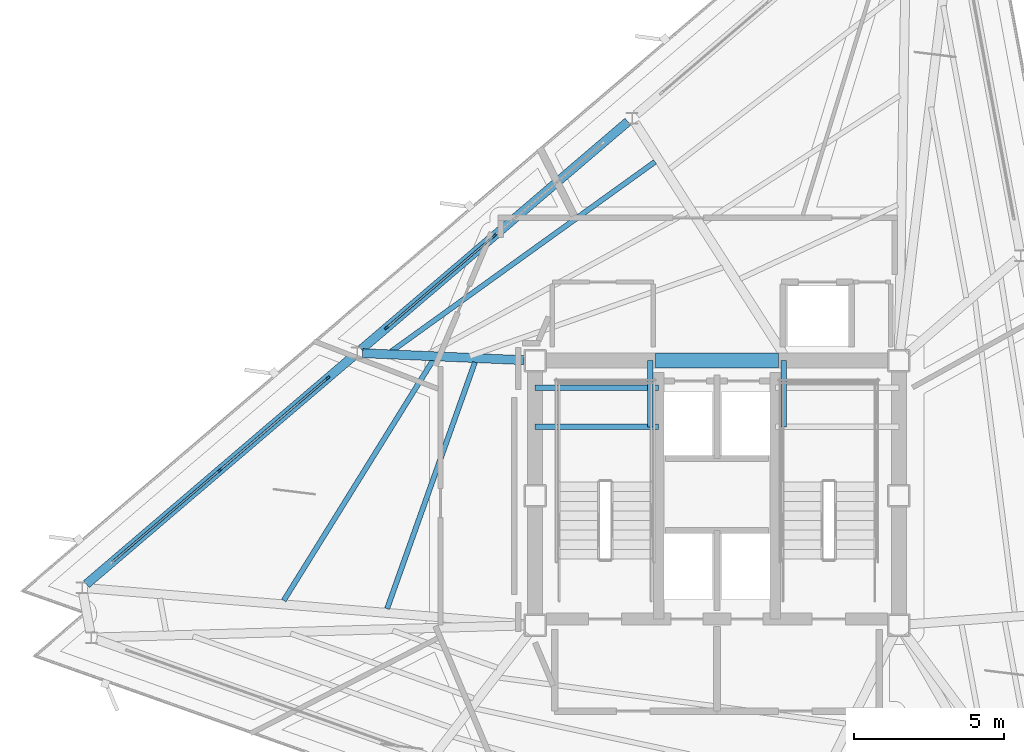
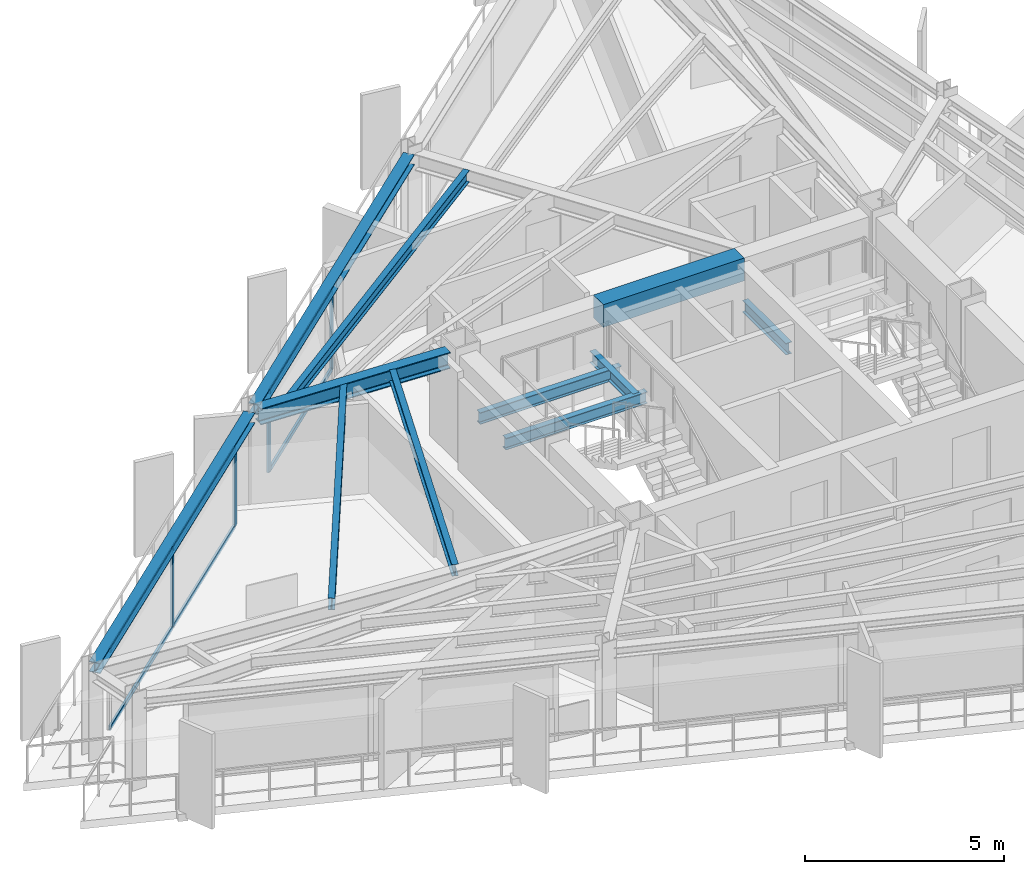
# One storey, part 4 of 14: 11 beams, 10 members, 2 elements without a shape of their own.
"""IFC4 building model written with IfcOpenShell, lengths in metres."""

from ifc_helpers import new_model, si_unit, direction, frame, origin, origin_2d, place, context, subcontext, project, spatial, rectangle, i_section, extrude, material, layer, layer_set, material_profile, profile_set, type_object, element, aggregate, save


model = new_model("IFC4")

# Units and contexts
model_context = context("Model", 3, precision=1e-05, world=origin(), true_north=direction((0.0, 1.0)))
body_context = subcontext(model_context, "Body", "Model", "MODEL_VIEW")
ifc_project = project(units=[si_unit("LENGTHUNIT", "METRE"), si_unit("AREAUNIT", "SQUARE_METRE"), si_unit("VOLUMEUNIT", "CUBIC_METRE"), si_unit("PLANEANGLEUNIT", "RADIAN"), si_unit("MASSUNIT", "GRAM", prefix="KILO")], contexts=[model_context])

# Site, building, storey
site_placement = place(None, origin())
site = spatial("IfcSite", under=ifc_project, at=site_placement, CompositionType="ELEMENT")
building_placement = place(site_placement, origin())
building = spatial("IfcBuilding", under=site, at=building_placement, Name="Rocaltana Carrier Exchange", CompositionType="ELEMENT")
storey_placement = place(building_placement, frame((0.0, 0.0, 178.39990234375)))
storey = spatial("IfcBuildingStorey", under=building, at=storey_placement, Name="L56", CompositionType="ELEMENT", Elevation=178.39990234375)

# Curtain wall, members
ifc_material_1 = material(Name="Aluminium 6063-T6", Category="aluminium")
ifc_layer = layer(ifc_material_1, 0.135009765625)
ifc_layer_set = layer_set([ifc_layer], Name="Aluminium 6063-T6")
curtain_wall_type = type_object("IfcCurtainWallType", Name="Upper-Mid Acoustic Curtain Wall CW-04", PredefinedType="NOTDEFINED", material=ifc_layer_set)
curtain_wall_1_placement = place(storey_placement, origin())
curtain_wall_1 = element("IfcCurtainWall", 1, at=curtain_wall_1_placement, inside=storey, type_object=curtain_wall_type, Name="L56 CW-04 Run CW-L56-F2S2", PredefinedType="NOTDEFINED")
ifc_material_2 = material(Name="Aluminium 6063-T6", Category="aluminium")
ifc_material_profile_1 = material_profile(ifc_material_2, rectangle(XDim=0.06494140625, YDim=0.135009765625, at=origin_2d()), Name="AL-65X135")
ifc_profile_set_1 = profile_set([ifc_material_profile_1], Name="Aluminium 6063-T6")
member_type_1 = type_object("IfcMemberType", Name="CW-04 Mullion AL-65X135", PredefinedType="MULLION", material=ifc_profile_set_1)
member_1_placement = place(storey_placement, frame((-7.39990234375, 8.6640625, 0.0), z_axis=(0.0, 0.0, 1.0), x_axis=(0.649454010067, -0.760400873756, 0.0)))
member_1 = element("IfcMember", 2, at=member_1_placement, type_object=member_type_1, Name="CW-04 mullion 2", PredefinedType="MULLION", context=body_context, shape_type="SweptSolid", body=[
    extrude(rectangle(XDim=0.06494140625, YDim=0.135009765625, at=origin_2d()), origin(), (0.0, 0.0, 1.0), 2.447998046875),
])
member_2_placement = place(storey_placement, frame((-10.999755859375, 5.58935546875, 0.0), z_axis=(0.0, 0.0, 1.0), x_axis=(0.649454010067, -0.760400873756, 0.0)))
member_2 = element("IfcMember", 3, at=member_2_placement, type_object=member_type_1, Name="CW-04 mullion 3", PredefinedType="MULLION", context=body_context, shape_type="SweptSolid", body=[
    extrude(rectangle(XDim=0.06494140625, YDim=0.135009765625, at=origin_2d()), origin(), (0.0, 0.0, 1.0), 2.447998046875),
])

curtain_wall_2_placement = place(storey_placement, origin())
curtain_wall_2 = element("IfcCurtainWall", 4, at=curtain_wall_2_placement, inside=storey, type_object=curtain_wall_type, Name="L56 CW-04 Run CW-L56-F2S3", PredefinedType="NOTDEFINED")
member_3_placement = place(storey_placement, frame((-12.9501953125, 3.923583984375, 0.0), z_axis=(0.0, 0.0, 1.0), x_axis=(0.649447944918, -0.760406053922, 0.0)))
member_3 = element("IfcMember", 5, at=member_3_placement, type_object=member_type_1, Name="CW-04 mullion 1", PredefinedType="MULLION", context=body_context, shape_type="SweptSolid", body=[
    extrude(rectangle(XDim=0.06494140625, YDim=0.135009765625, at=origin_2d()), origin(), (0.0, 0.0, 1.0), 2.447998046875),
])
member_4_placement = place(storey_placement, frame((-16.550048828125, 0.84912109375, 0.0), z_axis=(0.0, 0.0, 1.0), x_axis=(0.649447944918, -0.760406053922, 0.0)))
member_4 = element("IfcMember", 6, at=member_4_placement, type_object=member_type_1, Name="CW-04 mullion 2", PredefinedType="MULLION", context=body_context, shape_type="SweptSolid", body=[
    extrude(rectangle(XDim=0.06494140625, YDim=0.135009765625, at=origin_2d()), origin(), (0.0, 0.0, 1.0), 2.447998046875),
])

# Member
ifc_material_3 = material(Name="Aluminium 6063-T6", Category="aluminium")
ifc_material_profile_2 = material_profile(ifc_material_3, rectangle(XDim=0.06494140625, YDim=0.135009765625, at=origin_2d()), Name="AL-65X135")
ifc_profile_set_2 = profile_set([ifc_material_profile_2], Name="Aluminium 6063-T6")
member_type_2 = type_object("IfcMemberType", Name="CW-04 Transom AL-65X135", PredefinedType="USERDEFINED", material=ifc_profile_set_2)
member_5_placement = place(storey_placement, frame((-7.424560546875, 8.642822265625, 0.03271484375), z_axis=(-0.760407032825, -0.649446798768, 0.0), x_axis=(0.649446798768, -0.760407032825, 0.0)))
member_5 = element("IfcMember", 7, at=member_5_placement, type_object=member_type_2, Name="CW-04 transom 2.1", ObjectType="TRANSOM", PredefinedType="USERDEFINED", context=body_context, shape_type="SweptSolid", body=[
    extrude(rectangle(XDim=0.06494140625, YDim=0.135009765625, at=origin_2d()), origin(), (0.0, 0.0, 1.0), 4.6689453125),
])

member_6_placement = place(storey_placement, frame((-7.424560546875, 8.642822265625, 2.41552734375), z_axis=(-0.760407032825, -0.649446798768, 0.0), x_axis=(0.649446798768, -0.760407032825, 0.0)))
member_6 = element("IfcMember", 8, at=member_6_placement, type_object=member_type_2, Name="CW-04 transom 2.2", ObjectType="TRANSOM", PredefinedType="USERDEFINED", context=body_context, shape_type="SweptSolid", body=[
    extrude(rectangle(XDim=0.06494140625, YDim=0.135009765625, at=origin_2d()), origin(), (0.0, 0.0, 1.0), 4.6689453125),
])

aggregate(curtain_wall_1, [member_1, member_2, member_5, member_6])

member_7_placement = place(storey_placement, frame((-12.974853515625, 3.902587890625, 0.03271484375), z_axis=(-0.760403264899, -0.649451210432, 0.0), x_axis=(0.649451210432, -0.760403264899, 0.0)))
member_7 = element("IfcMember", 9, at=member_7_placement, type_object=member_type_2, Name="CW-04 transom 1.1", ObjectType="TRANSOM", PredefinedType="USERDEFINED", context=body_context, shape_type="SweptSolid", body=[
    extrude(rectangle(XDim=0.06494140625, YDim=0.135009765625, at=origin_2d()), origin(), (0.0, 0.0, 1.0), 4.669189453125),
])

member_8_placement = place(storey_placement, frame((-12.974853515625, 3.902587890625, 2.41552734375), z_axis=(-0.760403264899, -0.649451210432, 0.0), x_axis=(0.649451210432, -0.760403264899, 0.0)))
member_8 = element("IfcMember", 10, at=member_8_placement, type_object=member_type_2, Name="CW-04 transom 1.2", ObjectType="TRANSOM", PredefinedType="USERDEFINED", context=body_context, shape_type="SweptSolid", body=[
    extrude(rectangle(XDim=0.06494140625, YDim=0.135009765625, at=origin_2d()), origin(), (0.0, 0.0, 1.0), 4.669189453125),
])

member_9_placement = place(storey_placement, frame((-16.57470703125, 0.827880859375, 0.03271484375), z_axis=(-0.760403264899, -0.649451210432, 0.0), x_axis=(0.649451210432, -0.760403264899, 0.0)))
member_9 = element("IfcMember", 11, at=member_9_placement, type_object=member_type_2, Name="CW-04 transom 2.1", ObjectType="TRANSOM", PredefinedType="USERDEFINED", context=body_context, shape_type="SweptSolid", body=[
    extrude(rectangle(XDim=0.06494140625, YDim=0.135009765625, at=origin_2d()), origin(), (0.0, 0.0, 1.0), 4.669189453125),
])

member_10_placement = place(storey_placement, frame((-16.57470703125, 0.827880859375, 2.41552734375), z_axis=(-0.760403264899, -0.649451210432, 0.0), x_axis=(0.649451210432, -0.760403264899, 0.0)))
member_10 = element("IfcMember", 12, at=member_10_placement, type_object=member_type_2, Name="CW-04 transom 2.2", ObjectType="TRANSOM", PredefinedType="USERDEFINED", context=body_context, shape_type="SweptSolid", body=[
    extrude(rectangle(XDim=0.06494140625, YDim=0.135009765625, at=origin_2d()), origin(), (0.0, 0.0, 1.0), 4.669189453125),
])

aggregate(curtain_wall_2, [member_3, member_4, member_7, member_8, member_9, member_10])

# Beams
ifc_material_4 = material(Name="Concrete C60/75", Category="concrete")
ifc_material_profile_3 = material_profile(ifc_material_4, rectangle(XDim=0.5, YDim=0.699951171875, at=origin_2d()), Name="RC-BM-500X700")
ifc_profile_set_3 = profile_set([ifc_material_profile_3], Name="Concrete C60/75")
beam_type_1 = type_object("IfcBeamType", Name="Core Coupling Lintel 500x700", PredefinedType="LINTEL", material=ifc_profile_set_3)
beam_1_placement = place(storey_placement, frame((-2.050048828125, 4.5, 2.447998046875), z_axis=(1.0, 0.0, 0.0), x_axis=(0.0, 1.0, 0.0)))
element("IfcBeam", 13, at=beam_1_placement, inside=storey, type_object=beam_type_1, Name="L56 Core Coupling Lintel CL-N", PredefinedType="LINTEL", context=body_context, shape_type="SweptSolid", body=[
    extrude(rectangle(XDim=0.5, YDim=0.699951171875, at=origin_2d()), origin(), (0.0, 0.0, 1.0), 4.10009765625),
])
ifc_material_5 = material(Name="Steel S355", Category="steel")
ifc_material_profile_4 = material_profile(ifc_material_5, i_section(OverallWidth=0.172119140625, OverallDepth=0.35791015625, WebThickness=0.0078125, FlangeThickness=0.01318359375, FilletRadius=0.011962890625, at=origin_2d()), Name="W14X38")
ifc_profile_set_4 = profile_set([ifc_material_profile_4], Name="Steel S355")
beam_type_2 = type_object("IfcBeamType", Name="Floor Joist W14X38", PredefinedType="JOIST", material=ifc_profile_set_4)
for number, where, z_axis, x_axis, name in (
    (14, (-6.050048828125, 2.300048828125, 1.14111328125), (1.0, 0.0, 0.0), (0.0, 1.0, 0.0), "L56 ST-1 Landing Carrier 1"),
    (15, (-6.050048828125, 3.60009765625, 1.14111328125), (1.0, 0.0, 0.0), (0.0, 1.0, 0.0), "L56 ST-1 Landing Carrier 2"),
):
    element("IfcBeam", number, at=place(storey_placement, frame(where, z_axis=z_axis, x_axis=x_axis)), inside=storey, type_object=beam_type_2, Name=name, PredefinedType="JOIST", context=body_context, shape_type="SweptSolid", body=[
        extrude(i_section(OverallWidth=0.172119140625, OverallDepth=0.35791015625, WebThickness=0.0078125, FlangeThickness=0.01318359375, FilletRadius=0.011962890625, at=origin_2d()), origin(), (0.0, 0.0, 1.0), 4.110107421875),
    ])
for number, where, z_axis, x_axis, name in (
    (16, (-2.219970703125, 2.300048828125, 1.14111328125), (0.0, 1.0, 0.0), (-1.0, 0.0, 0.0), "L56 ST-1 Landing Cross Trimmer"),
    (17, (2.219970703125, 2.300048828125, 1.14111328125), (0.0, 1.0, 0.0), (-1.0, 0.0, 0.0), "L56 ST-2 Landing Cross Trimmer"),
):
    element("IfcBeam", number, at=place(storey_placement, frame(where, z_axis=z_axis, x_axis=x_axis)), inside=storey, type_object=beam_type_2, Name=name, PredefinedType="JOIST", context=body_context, shape_type="SweptSolid", body=[
        extrude(i_section(OverallWidth=0.172119140625, OverallDepth=0.35791015625, WebThickness=0.0078125, FlangeThickness=0.01318359375, FilletRadius=0.011962890625, at=origin_2d()), origin(), (0.0, 0.0, 1.0), 2.199951171875),
    ])
beam_2_placement = place(storey_placement, frame((-2.06201171875, 11.115478515625, 2.619140625), z_axis=(-0.811946552353, -0.583731784402, 0.0), x_axis=(0.583731784402, -0.811946552353, 0.0)))
element("IfcBeam", 18, at=beam_2_placement, inside=storey, type_object=beam_type_2, Name="FJ-L56-06-3", PredefinedType="JOIST", context=body_context, shape_type="SweptSolid", body=[
    extrude(i_section(OverallWidth=0.172119140625, OverallDepth=0.35791015625, WebThickness=0.0078125, FlangeThickness=0.01318359375, FilletRadius=0.011962890625, at=origin_2d()), origin(), (0.0, 0.0, 1.0), 10.823974609375),
])
beam_3_placement = place(storey_placement, frame((-8.053466796875, 4.448974609375, 2.619140625), z_axis=(-0.335647261926, -0.941987747034, 0.0), x_axis=(0.941987747034, -0.335647261926, 0.0)))
element("IfcBeam", 19, at=beam_3_placement, inside=storey, type_object=beam_type_2, Name="FJ-L56-07-1", PredefinedType="JOIST", context=body_context, shape_type="SweptSolid", body=[
    extrude(i_section(OverallWidth=0.172119140625, OverallDepth=0.35791015625, WebThickness=0.0078125, FlangeThickness=0.01318359375, FilletRadius=0.011962890625, at=origin_2d()), origin(), (0.0, 0.0, 1.0), 8.708740234375),
])
beam_4_placement = place(storey_placement, frame((-9.44384765625, 4.521240234375, 2.619140625), z_axis=(-0.527698214699, -0.849431924408, 0.0), x_axis=(0.849431924408, -0.527698214699, 0.0)))
element("IfcBeam", 20, at=beam_4_placement, inside=storey, type_object=beam_type_2, Name="FJ-L56-07-2", PredefinedType="JOIST", context=body_context, shape_type="SweptSolid", body=[
    extrude(i_section(OverallWidth=0.172119140625, OverallDepth=0.35791015625, WebThickness=0.0078125, FlangeThickness=0.01318359375, FilletRadius=0.011962890625, at=origin_2d()), origin(), (0.0, 0.0, 1.0), 9.42236328125),
])
ifc_material_6 = material(Name="Steel S355", Category="steel")
ifc_material_profile_5 = material_profile(ifc_material_6, i_section(OverallWidth=0.300048828125, OverallDepth=0.320068359375, WebThickness=0.011474609375, FlangeThickness=0.0205078125, FilletRadius=0.027099609375, at=origin_2d()), Name="HEB320")
ifc_profile_set_5 = profile_set([ifc_material_profile_5], Name="Steel S355")
beam_type_3 = type_object("IfcBeamType", Name="Spandrel Edge Beam HEB320", PredefinedType="SPANDREL", material=ifc_profile_set_5)
beam_5_placement = place(storey_placement, frame((-2.9658203125, 12.451171875, 2.63818359375), z_axis=(-0.76039327773, -0.649462903623, 0.0), x_axis=(0.649462903623, -0.76039327773, 0.0)))
element("IfcBeam", 21, at=beam_5_placement, inside=storey, type_object=beam_type_3, Name="SP-L56-06", PredefinedType="SPANDREL", context=body_context, shape_type="SweptSolid", body=[
    extrude(i_section(OverallWidth=0.300048828125, OverallDepth=0.320068359375, WebThickness=0.011474609375, FlangeThickness=0.0205078125, FilletRadius=0.027099609375, at=origin_2d()), origin(), (0.0, 0.0, 1.0), 11.662353515625),
])
beam_6_placement = place(storey_placement, frame((-12.115966796875, 4.635986328125, 2.63818359375), z_axis=(-0.760403616076, -0.64945079926, 0.0), x_axis=(0.64945079926, -0.760403616076, 0.0)))
element("IfcBeam", 22, at=beam_6_placement, inside=storey, type_object=beam_type_3, Name="SP-L56-07", PredefinedType="SPANDREL", context=body_context, shape_type="SweptSolid", body=[
    extrude(i_section(OverallWidth=0.300048828125, OverallDepth=0.320068359375, WebThickness=0.011474609375, FlangeThickness=0.0205078125, FilletRadius=0.027099609375, at=origin_2d()), origin(), (0.0, 0.0, 1.0), 11.662109375),
])
ifc_material_7 = material(Name="Steel S355", Category="steel")
ifc_material_profile_6 = material_profile(ifc_material_7, i_section(OverallWidth=0.300048828125, OverallDepth=0.5, WebThickness=0.014404296875, FlangeThickness=0.028076171875, FilletRadius=0.027099609375, at=origin_2d()), Name="HEB500")
ifc_profile_set_6 = profile_set([ifc_material_profile_6], Name="Steel S355")
beam_type_4 = type_object("IfcBeamType", Name="Upper Radial Girder HEB500", PredefinedType="BEAM", material=ifc_profile_set_6)
beam_7_placement = place(storey_placement, frame((-6.416748046875, 4.515869140625, 2.548095703125), z_axis=(-0.999063681018, 0.04326385641, 0.0), x_axis=(-0.04326385641, -0.999063681018, 0.0)))
element("IfcBeam", 23, at=beam_7_placement, inside=storey, type_object=beam_type_4, Name="RG-L56-07", PredefinedType="BEAM", context=body_context, shape_type="SweptSolid", body=[
    extrude(i_section(OverallWidth=0.300048828125, OverallDepth=0.5, WebThickness=0.014404296875, FlangeThickness=0.028076171875, FilletRadius=0.027099609375, at=origin_2d()), origin(), (0.0, 0.0, 1.0), 5.3779296875),
])

save(model, "model.ifc")
